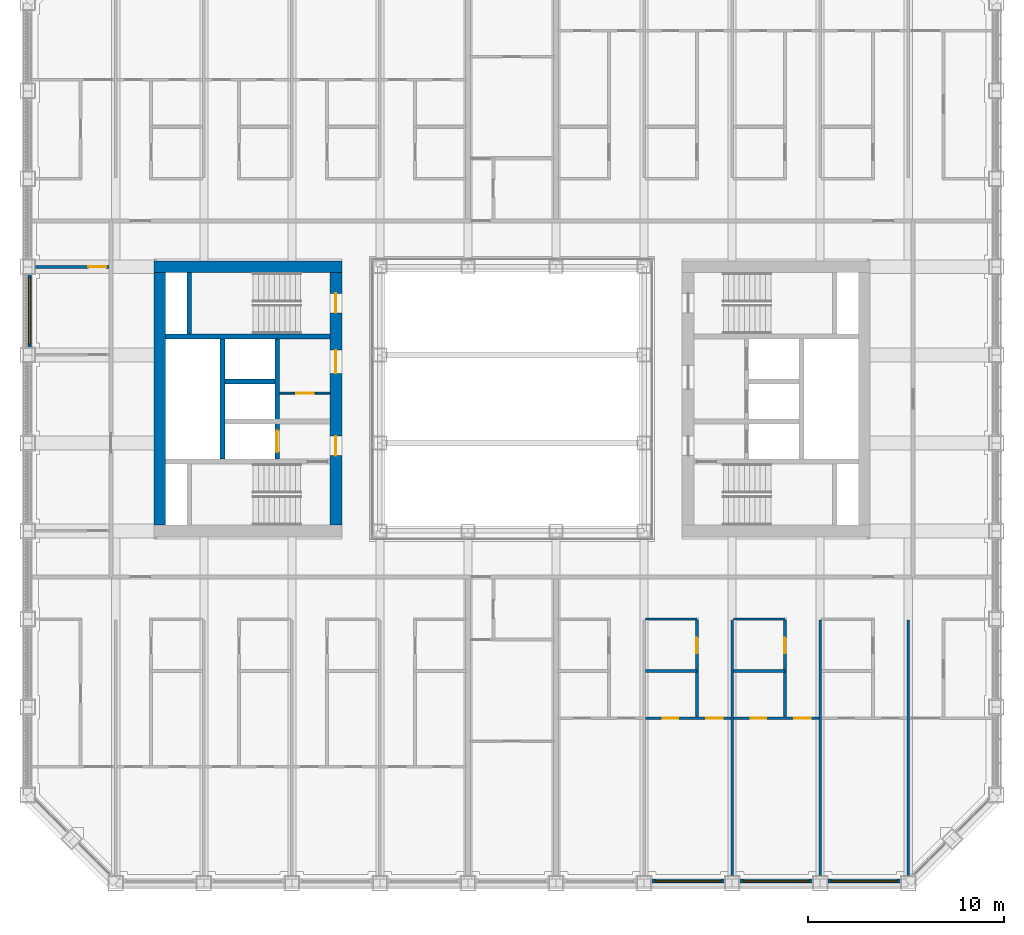
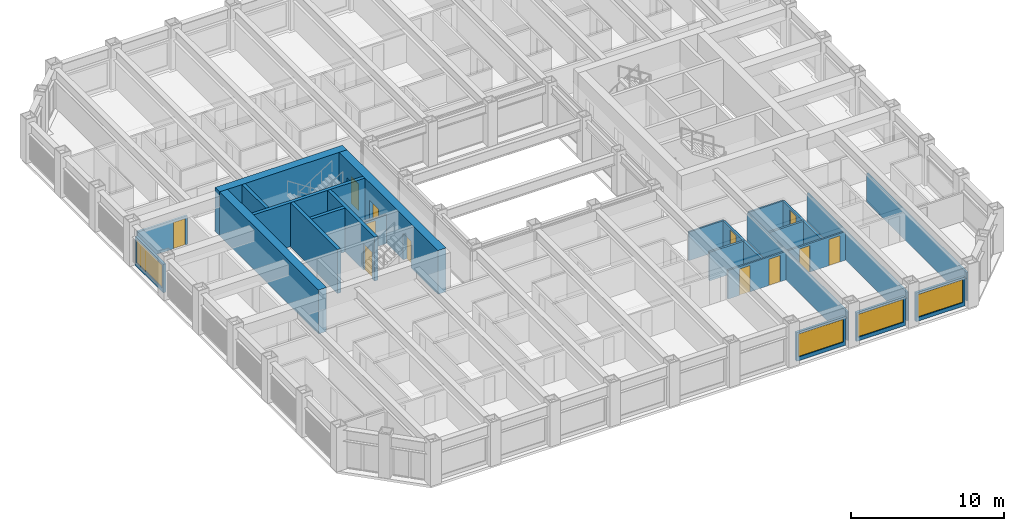
# One storey, part 11 of 21: 25 walls, 12 doors, 4 windows, 16 openings.
"""IFC4 building model written with IfcOpenShell, lengths in metres."""

from ifc_helpers import new_model, si_unit, direction, frame, frame_2d, origin, place, context, subcontext, project, spatial, rectangle, extrude, material, layer, layer_set, type_object, element, fill, save


model = new_model("IFC4")

# Units and contexts
model_context = context("Model", 3, precision=1e-05, world=origin(), true_north=direction((0.0, 1.0)))
body_context = subcontext(model_context, "Body", "Model", "MODEL_VIEW")
ifc_project = project(units=[si_unit("LENGTHUNIT", "METRE"), si_unit("AREAUNIT", "SQUARE_METRE"), si_unit("VOLUMEUNIT", "CUBIC_METRE"), si_unit("PLANEANGLEUNIT", "RADIAN"), si_unit("MASSUNIT", "GRAM", prefix="KILO")], contexts=[model_context])

# Site, building, storey
site_placement = place(None, origin())
site = spatial("IfcSite", under=ifc_project, at=site_placement, CompositionType="ELEMENT")
building_placement = place(site_placement, origin())
building = spatial("IfcBuilding", under=site, at=building_placement, Name="Msasa Ring Tower", CompositionType="ELEMENT")
storey_placement = place(building_placement, frame((0.0, 0.0, 103.5)))
storey = spatial("IfcBuildingStorey", under=building, at=storey_placement, Name="L27", CompositionType="ELEMENT", Elevation=103.5)

# Wall
ifc_material_1 = material(Name="Concrete C60/75", Category="concrete")
ifc_layer_1 = layer(ifc_material_1, 0.60009765625)
ifc_layer_set_1 = layer_set([ifc_layer_1], Name="CW1 CORE WALL 600")
wall_type_1 = type_object("IfcWallType", Name="CW1 CORE WALL 600", PredefinedType="SHEAR", material=ifc_layer_set_1)
wall_1_placement = place(storey_placement, frame((-8.699951171875, 6.75, 0.0), z_axis=(0.0, 0.0, 1.0), x_axis=(-1.0, 0.0, 0.0)))
element("IfcWall", 1, at=wall_1_placement, inside=storey, type_object=wall_type_1, Name="W core wall N L27", PredefinedType="SHEAR", context=body_context, shape_type="SweptSolid", body=[
    extrude(rectangle(XDim=9.60009765625, YDim=0.60009765625, at=frame_2d((4.800048828125, 0.0))), origin(), (0.0, 0.0, 1.0), 3.5),
])

# Wall, openings, doors
wall_2_placement = place(storey_placement, frame((-9.0, -6.449951171875, 0.0), z_axis=(0.0, 0.0, 1.0), x_axis=(0.0, 1.0, 0.0)))
wall_2 = element("IfcWall", 2, at=wall_2_placement, inside=storey, type_object=wall_type_1, Name="W core wall W L27", PredefinedType="SHEAR", context=body_context, shape_type="SweptSolid", body=[
    extrude(rectangle(XDim=12.89990234375, YDim=0.60009765625, at=frame_2d((6.449951171875, 0.0))), origin(), (0.0, 0.0, 1.0), 3.5),
])
opening_1_placement = place(wall_2_placement, frame((3.550048828125, 0.0, 0.0)))
opening_1 = element("IfcOpeningElement", 3, at=opening_1_placement, cuts=wall_2, Name="Opening RH-044", PredefinedType="OPENING", context=body_context, shape_type="SweptSolid", body=[
    extrude(rectangle(XDim=1.0, YDim=2.10009765625, at=frame_2d((0.5, 1.050048828125))), frame((0.0, 0.31005859375, 0.0), z_axis=(0.0, -1.0, 0.0), x_axis=(1.0, 0.0, 0.0)), (0.0, 0.0, 1.0), 0.6201171875),
])
opening_2_placement = place(wall_2_placement, frame((7.75, 0.0, 0.0)))
opening_2 = element("IfcOpeningElement", 4, at=opening_2_placement, cuts=wall_2, Name="Opening RH-039", PredefinedType="OPENING", context=body_context, shape_type="SweptSolid", body=[
    extrude(rectangle(XDim=1.199951171875, YDim=2.10009765625, at=frame_2d((0.60009765625, 1.050048828125))), frame((0.0, 0.31005859375, 0.0), z_axis=(0.0, -1.0, 0.0), x_axis=(1.0, 0.0, 0.0)), (0.0, 0.0, 1.0), 0.6201171875),
])
opening_3_placement = place(wall_2_placement, frame((10.85009765625, 0.0, 0.0)))
opening_3 = element("IfcOpeningElement", 5, at=opening_3_placement, cuts=wall_2, Name="Opening RH-036", PredefinedType="OPENING", context=body_context, shape_type="SweptSolid", body=[
    extrude(rectangle(XDim=1.0, YDim=2.10009765625, at=frame_2d((0.5, 1.050048828125))), frame((0.0, 0.31005859375, 0.0), z_axis=(0.0, -1.0, 0.0), x_axis=(1.0, 0.0, 0.0)), (0.0, 0.0, 1.0), 0.6201171875),
])
ifc_material_2 = material(Name="Timber door leaf in a steel frame", Category="steel")
door_type_1 = type_object("IfcDoorType", Name="D26 WIDE SERVICE ROOM DOOR 1200x2100", OperationType="SINGLE_SWING_LEFT", PredefinedType="DOOR", material=ifc_material_2)
door_1_placement = place(opening_2_placement, origin())
door_1 = element("IfcDoor", 6, at=door_1_placement, inside=storey, type_object=door_type_1, Name="Door L27-WCR", OperationType="SINGLE_SWING_RIGHT", OverallHeight=2.10009765625, OverallWidth=1.199951171875, PredefinedType="DOOR", context=body_context, shape_type="SweptSolid", body=[
    extrude(rectangle(XDim=1.199951171875, YDim=2.10009765625, at=frame_2d((0.60009765625, 1.050048828125))), frame((0.0, 0.02490234375, 0.0), z_axis=(0.0, -1.0, 0.0), x_axis=(1.0, 0.0, 0.0)), (0.0, 0.0, 1.0), 0.050048828125),
])
fill(opening_2, door_1)
ifc_material_3 = material(Name="Timber door leaf in a steel frame", Category="steel")
door_type_2 = type_object("IfcDoorType", Name="D4 LOBBY DOOR 1000x2100", OperationType="SINGLE_SWING_LEFT", PredefinedType="DOOR", material=ifc_material_3)
door_2_placement = place(opening_1_placement, origin())
door_2 = element("IfcDoor", 7, at=door_2_placement, inside=storey, type_object=door_type_2, Name="Door L27-WFFL", OperationType="SINGLE_SWING_LEFT", OverallHeight=2.10009765625, OverallWidth=1.0, PredefinedType="DOOR", context=body_context, shape_type="SweptSolid", body=[
    extrude(rectangle(XDim=1.0, YDim=2.10009765625, at=frame_2d((0.5, 1.050048828125))), frame((0.0, 0.02490234375, 0.0), z_axis=(0.0, -1.0, 0.0), x_axis=(1.0, 0.0, 0.0)), (0.0, 0.0, 1.0), 0.050048828125),
])
fill(opening_1, door_2)
ifc_material_4 = material(Name="Timber door leaf in a steel frame", Category="steel")
door_type_3 = type_object("IfcDoorType", Name="D6 STAIR DOOR 1000x2100", OperationType="SINGLE_SWING_LEFT", PredefinedType="DOOR", material=ifc_material_4)
door_3_placement = place(opening_3_placement, origin())
door_3 = element("IfcDoor", 8, at=door_3_placement, inside=storey, type_object=door_type_3, Name="Door L27-WSTB", OperationType="SINGLE_SWING_RIGHT", OverallHeight=2.10009765625, OverallWidth=1.0, PredefinedType="DOOR", context=body_context, shape_type="SweptSolid", body=[
    extrude(rectangle(XDim=1.0, YDim=2.10009765625, at=frame_2d((0.5, 1.050048828125))), frame((0.0, 0.02490234375, 0.0), z_axis=(0.0, -1.0, 0.0), x_axis=(1.0, 0.0, 0.0)), (0.0, 0.0, 1.0), 0.050048828125),
])
fill(opening_3, door_3)

# Walls
wall_3_placement = place(storey_placement, frame((-18.0, -6.449951171875, 0.0), z_axis=(0.0, 0.0, 1.0), x_axis=(0.0, 1.0, 0.0)))
element("IfcWall", 9, at=wall_3_placement, inside=storey, type_object=wall_type_1, Name="W core wall E L27", PredefinedType="SHEAR", context=body_context, shape_type="SweptSolid", body=[
    extrude(rectangle(XDim=12.89990234375, YDim=0.60009765625, at=frame_2d((6.449951171875, 0.0))), origin(), (0.0, 0.0, 1.0), 3.5),
])
ifc_material_5 = material(Name="Concrete C60/75", Category="concrete")
ifc_layer_2 = layer(ifc_material_5, 0.25)
ifc_layer_set_2 = layer_set([ifc_layer_2], Name="CW4 CORE INNER WALL 250")
wall_type_2 = type_object("IfcWallType", Name="CW4 CORE INNER WALL 250", PredefinedType="SHEAR", material=ifc_layer_set_2)
wall_4_placement = place(storey_placement, frame((-9.300048828125, 3.199951171875, 0.0), z_axis=(0.0, 0.0, 1.0), x_axis=(-1.0, 0.0, 0.0)))
element("IfcWall", 10, at=wall_4_placement, inside=storey, type_object=wall_type_2, Name="W core wall STAIRB L27", PredefinedType="SHEAR", context=body_context, shape_type="SweptSolid", body=[
    extrude(rectangle(XDim=8.39990234375, YDim=0.25, at=frame_2d((4.199951171875, 0.0))), origin(), (0.0, 0.0, 1.0), 3.5),
])
wall_5_placement = place(storey_placement, frame((-16.5, 3.324951171875, 0.0), z_axis=(0.0, 0.0, 1.0), x_axis=(0.0, 1.0, 0.0)))
element("IfcWall", 11, at=wall_5_placement, inside=storey, type_object=wall_type_2, Name="W core wall RISERB L27", PredefinedType="SHEAR", context=body_context, shape_type="SweptSolid", body=[
    extrude(rectangle(XDim=3.125, YDim=0.25, at=frame_2d((1.5625, 0.0))), origin(), (0.0, 0.0, 1.0), 3.5),
])

# Wall, opening, door
wall_6_placement = place(storey_placement, frame((-12.0, -3.074951171875, 0.0), z_axis=(0.0, 0.0, 1.0), x_axis=(0.0, 1.0, 0.0)))
wall_6 = element("IfcWall", 12, at=wall_6_placement, inside=storey, type_object=wall_type_2, Name="W core wall LOBBY L27", PredefinedType="SHEAR", context=body_context, shape_type="SweptSolid", body=[
    extrude(rectangle(XDim=6.14990234375, YDim=0.25, at=frame_2d((3.074951171875, 0.0))), origin(), (0.0, 0.0, 1.0), 3.5),
])
opening_4_placement = place(wall_6_placement, frame((0.35009765625, 0.0, 0.0)))
opening_4 = element("IfcOpeningElement", 13, at=opening_4_placement, cuts=wall_6, Name="Opening LD1", PredefinedType="OPENING", context=body_context, shape_type="SweptSolid", body=[
    extrude(rectangle(XDim=1.10009765625, YDim=2.10009765625, at=frame_2d((0.550048828125, 1.050048828125))), frame((0.0, 0.135009765625, 0.0), z_axis=(0.0, -1.0, 0.0), x_axis=(1.0, 0.0, 0.0)), (0.0, 0.0, 1.0), 0.27001953125),
])
ifc_material_6 = material(Name="Stainless steel lift landing door", Category="steel")
door_type_4 = type_object("IfcDoorType", Name="LD1 LIFT LANDING DOOR 1100x2100", OperationType="DOUBLE_DOOR_SLIDING", PredefinedType="DOOR", material=ifc_material_6)
door_4_placement = place(opening_4_placement, origin())
door_4 = element("IfcDoor", 14, at=door_4_placement, inside=storey, type_object=door_type_4, Name="Lift landing door FL-W L27", OperationType="DOUBLE_DOOR_SLIDING", OverallHeight=2.10009765625, OverallWidth=1.10009765625, PredefinedType="DOOR", context=body_context, shape_type="SweptSolid", body=[
    extrude(rectangle(XDim=1.10009765625, YDim=2.10009765625, at=frame_2d((0.550048828125, 1.050048828125))), frame((0.0, 0.02490234375, 0.0), z_axis=(0.0, -1.0, 0.0), x_axis=(1.0, 0.0, 0.0)), (0.0, 0.0, 1.0), 0.050048828125),
])
fill(opening_4, door_4)

# Walls
wall_7_placement = place(storey_placement, frame((-14.800048828125, -3.074951171875, 0.0), z_axis=(0.0, 0.0, 1.0), x_axis=(0.0, 1.0, 0.0)))
element("IfcWall", 15, at=wall_7_placement, inside=storey, type_object=wall_type_2, Name="W core wall SHAFT L27", PredefinedType="SHEAR", context=body_context, shape_type="SweptSolid", body=[
    extrude(rectangle(XDim=6.14990234375, YDim=0.25, at=frame_2d((3.074951171875, 0.0))), origin(), (0.0, 0.0, 1.0), 3.5),
])
wall_8_placement = place(storey_placement, frame((-12.125, 0.89990234375, 0.0), z_axis=(0.0, 0.0, 1.0), x_axis=(-1.0, 0.0, 0.0)))
element("IfcWall", 16, at=wall_8_placement, inside=storey, type_object=wall_type_2, Name="W core wall LIFT1 L27", PredefinedType="SHEAR", context=body_context, shape_type="SweptSolid", body=[
    extrude(rectangle(XDim=2.550048828125, YDim=0.25, at=frame_2d((1.27490234375, 0.0))), origin(), (0.0, 0.0, 1.0), 3.5),
])

# Wall, opening, window
ifc_material_7 = material(Name="Terracotta rainscreen on blockwork", Category="masonry")
ifc_layer_3 = layer(ifc_material_7, 0.199951171875)
ifc_layer_set_3 = layer_set([ifc_layer_3], Name="FW1 TERRACOTTA-LINED INFILL BAY WALL 200")
wall_type_3 = type_object("IfcWallType", Name="FW1 TERRACOTTA-LINED INFILL BAY WALL 200", PredefinedType="SOLIDWALL", material=ifc_layer_set_3)
wall_9_placement = place(storey_placement, frame((7.155029296875, -24.64990234375, 0.0), z_axis=(0.0, 0.0, 1.0), x_axis=(1.0, 0.0, 0.0)))
wall_9 = element("IfcWall", 17, at=wall_9_placement, inside=storey, type_object=wall_type_3, Name="Infill bay wall S L27 06", PredefinedType="SOLIDWALL", context=body_context, shape_type="SweptSolid", body=[
    extrude(rectangle(XDim=3.68994140625, YDim=0.199951171875, at=frame_2d((1.844970703125, 0.0))), origin(), (0.0, 0.0, 1.0), 2.279052734375),
])
opening_5_placement = place(wall_9_placement, frame((0.14501953125, 0.0, 0.300048828125)))
opening_5 = element("IfcOpeningElement", 18, at=opening_5_placement, cuts=wall_9, Name="Opening WN6", PredefinedType="OPENING", context=body_context, shape_type="SweptSolid", body=[
    extrude(rectangle(XDim=3.39990234375, YDim=1.8291015625, at=frame_2d((1.699951171875, 0.91455078125))), frame((0.0, 0.10986328125, 0.0), z_axis=(0.0, -1.0, 0.0), x_axis=(1.0, 0.0, 0.0)), (0.0, 0.0, 1.0), 0.219970703125),
])
ifc_material_8 = material(Name="Aluminium frame with clear glass", Category="aluminium")
window_type = type_object("IfcWindowType", Name="WN6 RESIDENCE WINDOW 3400x1829", PartitioningType="SINGLE_PANEL", PredefinedType="WINDOW", material=ifc_material_8)
window_1_placement = place(opening_5_placement, origin())
window_1 = element("IfcWindow", 19, at=window_1_placement, inside=storey, type_object=window_type, Name="Window S L27 06", OverallHeight=1.8291015625, OverallWidth=3.39990234375, PartitioningType="SINGLE_PANEL", PredefinedType="WINDOW", context=body_context, shape_type="SweptSolid", body=[
    extrude(rectangle(XDim=3.39990234375, YDim=1.8291015625, at=frame_2d((1.699951171875, 0.91455078125))), frame((0.0, 0.030029296875, 0.0), z_axis=(0.0, -1.0, 0.0), x_axis=(1.0, 0.0, 0.0)), (0.0, 0.0, 1.0), 0.06005859375),
])
fill(opening_5, window_1)

wall_10_placement = place(storey_placement, frame((11.655029296875, -24.64990234375, 0.0), z_axis=(0.0, 0.0, 1.0), x_axis=(1.0, 0.0, 0.0)))
wall_10 = element("IfcWall", 20, at=wall_10_placement, inside=storey, type_object=wall_type_3, Name="Infill bay wall S L27 07", PredefinedType="SOLIDWALL", context=body_context, shape_type="SweptSolid", body=[
    extrude(rectangle(XDim=3.68994140625, YDim=0.199951171875, at=frame_2d((1.844970703125, 0.0))), origin(), (0.0, 0.0, 1.0), 2.279052734375),
])
opening_6_placement = place(wall_10_placement, frame((0.14501953125, 0.0, 0.300048828125)))
opening_6 = element("IfcOpeningElement", 21, at=opening_6_placement, cuts=wall_10, Name="Opening WN6", PredefinedType="OPENING", context=body_context, shape_type="SweptSolid", body=[
    extrude(rectangle(XDim=3.39990234375, YDim=1.8291015625, at=frame_2d((1.699951171875, 0.91455078125))), frame((0.0, 0.10986328125, 0.0), z_axis=(0.0, -1.0, 0.0), x_axis=(1.0, 0.0, 0.0)), (0.0, 0.0, 1.0), 0.219970703125),
])
window_2_placement = place(opening_6_placement, origin())
window_2 = element("IfcWindow", 22, at=window_2_placement, inside=storey, type_object=window_type, Name="Window S L27 07", OverallHeight=1.8291015625, OverallWidth=3.39990234375, PartitioningType="SINGLE_PANEL", PredefinedType="WINDOW", context=body_context, shape_type="SweptSolid", body=[
    extrude(rectangle(XDim=3.39990234375, YDim=1.8291015625, at=frame_2d((1.699951171875, 0.91455078125))), frame((0.0, 0.030029296875, 0.0), z_axis=(0.0, -1.0, 0.0), x_axis=(1.0, 0.0, 0.0)), (0.0, 0.0, 1.0), 0.06005859375),
])
fill(opening_6, window_2)

wall_11_placement = place(storey_placement, frame((16.155029296875, -24.64990234375, 0.0), z_axis=(0.0, 0.0, 1.0), x_axis=(1.0, 0.0, 0.0)))
wall_11 = element("IfcWall", 23, at=wall_11_placement, inside=storey, type_object=wall_type_3, Name="Infill bay wall S L27 08", PredefinedType="SOLIDWALL", context=body_context, shape_type="SweptSolid", body=[
    extrude(rectangle(XDim=3.68994140625, YDim=0.199951171875, at=frame_2d((1.844970703125, 0.0))), origin(), (0.0, 0.0, 1.0), 2.279052734375),
])
opening_7_placement = place(wall_11_placement, frame((0.14501953125, 0.0, 0.300048828125)))
opening_7 = element("IfcOpeningElement", 24, at=opening_7_placement, cuts=wall_11, Name="Opening WN6", PredefinedType="OPENING", context=body_context, shape_type="SweptSolid", body=[
    extrude(rectangle(XDim=3.39990234375, YDim=1.8291015625, at=frame_2d((1.699951171875, 0.91455078125))), frame((0.0, 0.10986328125, 0.0), z_axis=(0.0, -1.0, 0.0), x_axis=(1.0, 0.0, 0.0)), (0.0, 0.0, 1.0), 0.219970703125),
])
window_3_placement = place(opening_7_placement, origin())
window_3 = element("IfcWindow", 25, at=window_3_placement, inside=storey, type_object=window_type, Name="Window S L27 08", OverallHeight=1.8291015625, OverallWidth=3.39990234375, PartitioningType="SINGLE_PANEL", PredefinedType="WINDOW", context=body_context, shape_type="SweptSolid", body=[
    extrude(rectangle(XDim=3.39990234375, YDim=1.8291015625, at=frame_2d((1.699951171875, 0.91455078125))), frame((0.0, 0.030029296875, 0.0), z_axis=(0.0, -1.0, 0.0), x_axis=(1.0, 0.0, 0.0)), (0.0, 0.0, 1.0), 0.06005859375),
])
fill(opening_7, window_3)

wall_12_placement = place(storey_placement, frame((-24.64990234375, 2.655029296875, 0.0), z_axis=(0.0, 0.0, 1.0), x_axis=(0.0, 1.0, 0.0)))
wall_12 = element("IfcWall", 26, at=wall_12_placement, inside=storey, type_object=wall_type_3, Name="Infill bay wall W L27 38", PredefinedType="SOLIDWALL", context=body_context, shape_type="SweptSolid", body=[
    extrude(rectangle(XDim=3.68994140625, YDim=0.199951171875, at=frame_2d((1.844970703125, 0.0))), origin(), (0.0, 0.0, 1.0), 2.279052734375),
])
opening_8_placement = place(wall_12_placement, frame((0.14501953125, 0.0, 0.300048828125)))
opening_8 = element("IfcOpeningElement", 27, at=opening_8_placement, cuts=wall_12, Name="Opening WN6", PredefinedType="OPENING", context=body_context, shape_type="SweptSolid", body=[
    extrude(rectangle(XDim=3.39990234375, YDim=1.8291015625, at=frame_2d((1.699951171875, 0.91455078125))), frame((0.0, 0.10986328125, 0.0), z_axis=(0.0, -1.0, 0.0), x_axis=(1.0, 0.0, 0.0)), (0.0, 0.0, 1.0), 0.219970703125),
])
window_4_placement = place(opening_8_placement, origin())
window_4 = element("IfcWindow", 28, at=window_4_placement, inside=storey, type_object=window_type, Name="Window W L27 38", OverallHeight=1.8291015625, OverallWidth=3.39990234375, PartitioningType="SINGLE_PANEL", PredefinedType="WINDOW", context=body_context, shape_type="SweptSolid", body=[
    extrude(rectangle(XDim=3.39990234375, YDim=1.8291015625, at=frame_2d((1.699951171875, 0.91455078125))), frame((0.0, 0.030029296875, 0.0), z_axis=(0.0, -1.0, 0.0), x_axis=(1.0, 0.0, 0.0)), (0.0, 0.0, 1.0), 0.06005859375),
])
fill(opening_8, window_4)

# Wall, opening, door
ifc_material_9 = material(Name="Gypsum board on steel studs", Category="steel")
ifc_layer_4 = layer(ifc_material_9, 0.10009765625)
ifc_layer_set_4 = layer_set([ifc_layer_4], Name="PT2 STUD PARTITION 100")
wall_type_4 = type_object("IfcWallType", Name="PT2 STUD PARTITION 100", PredefinedType="PARTITIONING", material=ifc_layer_set_4)
wall_13_placement = place(storey_placement, frame((-11.875, 0.300048828125, 0.0), z_axis=(0.0, 0.0, 1.0), x_axis=(1.0, 0.0, 0.0)))
wall_13 = element("IfcWall", 29, at=wall_13_placement, inside=storey, type_object=wall_type_4, Name="Partition L27-WCP", PredefinedType="PARTITIONING", context=body_context, shape_type="SweptSolid", body=[
    extrude(rectangle(XDim=2.574951171875, YDim=0.10009765625, at=frame_2d((1.28759765625, 0.0))), origin(), (0.0, 0.0, 1.0), 2.279052734375),
])
opening_9_placement = place(wall_13_placement, frame((0.83740234375, 0.0, 0.0)))
opening_9 = element("IfcOpeningElement", 30, at=opening_9_placement, cuts=wall_13, Name="Opening RH-041", PredefinedType="OPENING", context=body_context, shape_type="SweptSolid", body=[
    extrude(rectangle(XDim=0.89990234375, YDim=2.10009765625, at=frame_2d((0.449951171875, 1.050048828125))), frame((0.0, 0.06005859375, 0.0), z_axis=(0.0, -1.0, 0.0), x_axis=(1.0, 0.0, 0.0)), (0.0, 0.0, 1.0), 0.1201171875),
])
ifc_material_10 = material(Name="Timber door leaf in a steel frame", Category="steel")
door_type_5 = type_object("IfcDoorType", Name="D22 INTERNAL HALL DOOR 900x2100", OperationType="SINGLE_SWING_LEFT", PredefinedType="DOOR", material=ifc_material_10)
door_5_placement = place(opening_9_placement, origin())
door_5 = element("IfcDoor", 31, at=door_5_placement, inside=storey, type_object=door_type_5, Name="Door L27-WCP", OperationType="SINGLE_SWING_LEFT", OverallHeight=2.10009765625, OverallWidth=0.89990234375, PredefinedType="DOOR", context=body_context, shape_type="SweptSolid", body=[
    extrude(rectangle(XDim=0.89990234375, YDim=2.10009765625, at=frame_2d((0.449951171875, 1.050048828125))), frame((0.0, 0.02490234375, 0.0), z_axis=(0.0, -1.0, 0.0), x_axis=(1.0, 0.0, 0.0)), (0.0, 0.0, 1.0), 0.050048828125),
])
fill(opening_9, door_5)

ifc_material_11 = material(Name="Moisture-resistant board on steel studs with a concealed cistern and pipe void, tiled", Category="steel")
ifc_layer_5 = layer(ifc_material_11, 0.14990234375)
ifc_layer_set_5 = layer_set([ifc_layer_5], Name="PT4 BATHROOM WET WALL 150")
wall_type_5 = type_object("IfcWallType", Name="PT4 BATHROOM WET WALL 150", PredefinedType="PARTITIONING", material=ifc_layer_set_5)
wall_14_placement = place(storey_placement, frame((13.949951171875, -16.3125, 0.0), z_axis=(0.0, 0.0, 1.0), x_axis=(0.0, 1.0, 0.0)))
wall_14 = element("IfcWall", 32, at=wall_14_placement, inside=storey, type_object=wall_type_5, Name="Partition L27-US02SX2", PredefinedType="PARTITIONING", context=body_context, shape_type="SweptSolid", body=[
    extrude(rectangle(XDim=5.0, YDim=0.14990234375, at=frame_2d((2.5, 0.0))), origin(), (0.0, 0.0, 1.0), 2.279052734375),
])
opening_10_placement = place(wall_14_placement, frame((3.300048828125, 0.0, 0.0)))
opening_10 = element("IfcOpeningElement", 33, at=opening_10_placement, cuts=wall_14, Name="Opening RH-060", PredefinedType="OPENING", context=body_context, shape_type="SweptSolid", body=[
    extrude(rectangle(XDim=0.800048828125, YDim=2.10009765625, at=frame_2d((0.39990234375, 1.050048828125))), frame((0.0, 0.0849609375, 0.0), z_axis=(0.0, -1.0, 0.0), x_axis=(1.0, 0.0, 0.0)), (0.0, 0.0, 1.0), 0.169921875),
])
ifc_material_12 = material(Name="Timber door leaf in a steel frame", Category="steel")
door_type_6 = type_object("IfcDoorType", Name="D21 POCKET SLIDING BATHROOM DOOR 800x2100", OperationType="SINGLE_SWING_LEFT", PredefinedType="DOOR", material=ifc_material_12)
door_6_placement = place(opening_10_placement, origin())
door_6 = element("IfcDoor", 34, at=door_6_placement, inside=storey, type_object=door_type_6, Name="Door L27-US02B2", OperationType="SINGLE_SWING_RIGHT", OverallHeight=2.10009765625, OverallWidth=0.800048828125, PredefinedType="DOOR", context=body_context, shape_type="SweptSolid", body=[
    extrude(rectangle(XDim=0.800048828125, YDim=2.10009765625, at=frame_2d((0.39990234375, 1.050048828125))), frame((0.0, 0.02490234375, 0.0), z_axis=(0.0, -1.0, 0.0), x_axis=(1.0, 0.0, 0.0)), (0.0, 0.0, 1.0), 0.050048828125),
])
fill(opening_10, door_6)

# Wall
wall_15_placement = place(storey_placement, frame((11.3125, -13.91259765625, 0.0), z_axis=(0.0, 0.0, 1.0), x_axis=(1.0, 0.0, 0.0)))
element("IfcWall", 35, at=wall_15_placement, inside=storey, type_object=wall_type_5, Name="Partition L27-US02SB2", PredefinedType="PARTITIONING", context=body_context, shape_type="SweptSolid", body=[
    extrude(rectangle(XDim=2.637451171875, YDim=0.14990234375, at=frame_2d((1.31884765625, 0.0))), origin(), (0.0, 0.0, 1.0), 2.279052734375),
])

# Wall, opening, door
wall_16_placement = place(storey_placement, frame((9.449951171875, -16.3125, 0.0), z_axis=(0.0, 0.0, 1.0), x_axis=(0.0, 1.0, 0.0)))
wall_16 = element("IfcWall", 36, at=wall_16_placement, inside=storey, type_object=wall_type_5, Name="Partition L27-US02SX3", PredefinedType="PARTITIONING", context=body_context, shape_type="SweptSolid", body=[
    extrude(rectangle(XDim=5.0, YDim=0.14990234375, at=frame_2d((2.5, 0.0))), origin(), (0.0, 0.0, 1.0), 2.279052734375),
])
opening_11_placement = place(wall_16_placement, frame((3.300048828125, 0.0, 0.0)))
opening_11 = element("IfcOpeningElement", 37, at=opening_11_placement, cuts=wall_16, Name="Opening RH-059", PredefinedType="OPENING", context=body_context, shape_type="SweptSolid", body=[
    extrude(rectangle(XDim=0.800048828125, YDim=2.10009765625, at=frame_2d((0.39990234375, 1.050048828125))), frame((0.0, 0.0849609375, 0.0), z_axis=(0.0, -1.0, 0.0), x_axis=(1.0, 0.0, 0.0)), (0.0, 0.0, 1.0), 0.169921875),
])
door_7_placement = place(opening_11_placement, origin())
door_7 = element("IfcDoor", 38, at=door_7_placement, inside=storey, type_object=door_type_6, Name="Door L27-US02B3", OperationType="SINGLE_SWING_RIGHT", OverallHeight=2.10009765625, OverallWidth=0.800048828125, PredefinedType="DOOR", context=body_context, shape_type="SweptSolid", body=[
    extrude(rectangle(XDim=0.800048828125, YDim=2.10009765625, at=frame_2d((0.39990234375, 1.050048828125))), frame((0.0, 0.02490234375, 0.0), z_axis=(0.0, -1.0, 0.0), x_axis=(1.0, 0.0, 0.0)), (0.0, 0.0, 1.0), 0.050048828125),
])
fill(opening_11, door_7)

# Wall
wall_17_placement = place(storey_placement, frame((6.8125, -13.91259765625, 0.0), z_axis=(0.0, 0.0, 1.0), x_axis=(1.0, 0.0, 0.0)))
element("IfcWall", 39, at=wall_17_placement, inside=storey, type_object=wall_type_5, Name="Partition L27-US02SB3", PredefinedType="PARTITIONING", context=body_context, shape_type="SweptSolid", body=[
    extrude(rectangle(XDim=2.637451171875, YDim=0.14990234375, at=frame_2d((1.31884765625, 0.0))), origin(), (0.0, 0.0, 1.0), 2.279052734375),
])

# Wall, opening, door
wall_18_placement = place(storey_placement, frame((-24.35009765625, 6.75, 0.0), z_axis=(0.0, 0.0, 1.0), x_axis=(1.0, 0.0, 0.0)))
wall_18 = element("IfcWall", 40, at=wall_18_placement, inside=storey, type_object=wall_type_5, Name="Partition L27-STWBY", PredefinedType="PARTITIONING", context=body_context, shape_type="SweptSolid", body=[
    extrude(rectangle(XDim=3.75, YDim=0.14990234375, at=frame_2d((1.875, 0.0))), origin(), (0.0, 0.0, 1.0), 2.279052734375),
])
opening_12_placement = place(wall_18_placement, frame((2.699951171875, 0.0, 0.0)))
opening_12 = element("IfcOpeningElement", 41, at=opening_12_placement, cuts=wall_18, Name="Opening RH-035", PredefinedType="OPENING", context=body_context, shape_type="SweptSolid", body=[
    extrude(rectangle(XDim=0.89990234375, YDim=2.10009765625, at=frame_2d((0.449951171875, 1.050048828125))), frame((0.0, 0.0849609375, 0.0), z_axis=(0.0, -1.0, 0.0), x_axis=(1.0, 0.0, 0.0)), (0.0, 0.0, 1.0), 0.169921875),
])
ifc_material_13 = material(Name="Timber door leaf in a steel frame", Category="steel")
door_type_7 = type_object("IfcDoorType", Name="D3 BATHROOM DOOR 900x2100", OperationType="SINGLE_SWING_LEFT", PredefinedType="DOOR", material=ifc_material_13)
door_8_placement = place(opening_12_placement, origin())
door_8 = element("IfcDoor", 42, at=door_8_placement, inside=storey, type_object=door_type_7, Name="Door L27-STWB", OperationType="SINGLE_SWING_RIGHT", OverallHeight=2.10009765625, OverallWidth=0.89990234375, PredefinedType="DOOR", context=body_context, shape_type="SweptSolid", body=[
    extrude(rectangle(XDim=0.89990234375, YDim=2.10009765625, at=frame_2d((0.449951171875, 1.050048828125))), frame((0.0, 0.02490234375, 0.0), z_axis=(0.0, -1.0, 0.0), x_axis=(1.0, 0.0, 0.0)), (0.0, 0.0, 1.0), 0.050048828125),
])
fill(opening_12, door_8)

# Walls
ifc_material_14 = material(Name="Two layers of acoustic board each face on steel studs, mineral wool", Category="steel")
ifc_layer_6 = layer(ifc_material_14, 0.125)
ifc_layer_set_6 = layer_set([ifc_layer_6], Name="PT6 ACOUSTIC DOUBLE-BOARD PARTITION 125")
wall_type_6 = type_object("IfcWallType", Name="PT6 ACOUSTIC DOUBLE-BOARD PARTITION 125", PredefinedType="PARTITIONING", material=ifc_layer_set_6)
for number, where, z_axis, x_axis, name in (
    (43, (20.25, -24.35009765625, 0.0), (0.0, 0.0, 1.0), (0.0, 1.0, 0.0), "Partition L27-US02P1"),
    (44, (15.75, -24.35009765625, 0.0), (0.0, 0.0, 1.0), (0.0, 1.0, 0.0), "Partition L27-US02P2"),
):
    element("IfcWall", number, at=place(storey_placement, frame(where, z_axis=z_axis, x_axis=x_axis)), inside=storey, type_object=wall_type_6, Name=name, PredefinedType="PARTITIONING", context=body_context, shape_type="SweptSolid", body=[
        extrude(rectangle(XDim=13.03759765625, YDim=0.125, at=frame_2d((6.518798828125, 0.0))), origin(), (0.0, 0.0, 1.0), 2.279052734375),
    ])
wall_19_placement = place(storey_placement, frame((11.3173828125, -11.25, 0.0), z_axis=(0.0, 0.0, 1.0), x_axis=(1.0, 0.0, 0.0)))
element("IfcWall", 45, at=wall_19_placement, inside=storey, type_object=wall_type_6, Name="Partition L27-US02HY2", PredefinedType="PARTITIONING", context=body_context, shape_type="SweptSolid", body=[
    extrude(rectangle(XDim=2.632568359375, YDim=0.125, at=frame_2d((1.31640625, 0.0))), origin(), (0.0, 0.0, 1.0), 2.279052734375),
])

# Wall, openings, doors
wall_20_placement = place(storey_placement, frame((11.3125, -16.3125, 0.0), z_axis=(0.0, 0.0, 1.0), x_axis=(1.0, 0.0, 0.0)))
wall_20 = element("IfcWall", 46, at=wall_20_placement, inside=storey, type_object=wall_type_6, Name="Partition L27-US02SY2", PredefinedType="PARTITIONING", context=body_context, shape_type="SweptSolid", body=[
    extrude(rectangle(XDim=4.375, YDim=0.125, at=frame_2d((2.1875, 0.0))), origin(), (0.0, 0.0, 1.0), 2.279052734375),
])
opening_13_placement = place(wall_20_placement, frame((3.112548828125, 0.0, 0.0)))
opening_13 = element("IfcOpeningElement", 47, at=opening_13_placement, cuts=wall_20, Name="Opening RH-069", PredefinedType="OPENING", context=body_context, shape_type="SweptSolid", body=[
    extrude(rectangle(XDim=0.85009765625, YDim=2.10009765625, at=frame_2d((0.425048828125, 1.050048828125))), frame((0.0, 0.072509765625, 0.0), z_axis=(0.0, -1.0, 0.0), x_axis=(1.0, 0.0, 0.0)), (0.0, 0.0, 1.0), 0.14501953125),
])
opening_14_placement = place(wall_20_placement, frame((0.88134765625, 0.0, 0.0)))
opening_14 = element("IfcOpeningElement", 48, at=opening_14_placement, cuts=wall_20, Name="Opening RH-068", PredefinedType="OPENING", context=body_context, shape_type="SweptSolid", body=[
    extrude(rectangle(XDim=0.800048828125, YDim=2.10009765625, at=frame_2d((0.39990234375, 1.050048828125))), frame((0.0, 0.072509765625, 0.0), z_axis=(0.0, -1.0, 0.0), x_axis=(1.0, 0.0, 0.0)), (0.0, 0.0, 1.0), 0.14501953125),
])
ifc_material_15 = material(Name="Timber door leaf in a steel frame", Category="steel")
door_type_8 = type_object("IfcDoorType", Name="D14 BEDROOM DOOR 850x2100", OperationType="SINGLE_SWING_LEFT", PredefinedType="DOOR", material=ifc_material_15)
door_9_placement = place(opening_13_placement, origin())
door_9 = element("IfcDoor", 49, at=door_9_placement, inside=storey, type_object=door_type_8, Name="Door L27-US02R2", OperationType="SINGLE_SWING_RIGHT", OverallHeight=2.10009765625, OverallWidth=0.85009765625, PredefinedType="DOOR", context=body_context, shape_type="SweptSolid", body=[
    extrude(rectangle(XDim=0.85009765625, YDim=2.10009765625, at=frame_2d((0.425048828125, 1.050048828125))), frame((0.0, 0.02490234375, 0.0), z_axis=(0.0, -1.0, 0.0), x_axis=(1.0, 0.0, 0.0)), (0.0, 0.0, 1.0), 0.050048828125),
])
fill(opening_13, door_9)
ifc_material_16 = material(Name="Timber door leaf in a steel frame", Category="steel")
door_type_9 = type_object("IfcDoorType", Name="D60 DRESSING ROOM DOOR 800x2100", OperationType="SINGLE_SWING_LEFT", PredefinedType="DOOR", material=ifc_material_16)
door_10_placement = place(opening_14_placement, origin())
door_10 = element("IfcDoor", 50, at=door_10_placement, inside=storey, type_object=door_type_9, Name="Door L27-US02W2", OperationType="SINGLE_SWING_LEFT", OverallHeight=2.10009765625, OverallWidth=0.800048828125, PredefinedType="DOOR", context=body_context, shape_type="SweptSolid", body=[
    extrude(rectangle(XDim=0.800048828125, YDim=2.10009765625, at=frame_2d((0.39990234375, 1.050048828125))), frame((0.0, 0.02490234375, 0.0), z_axis=(0.0, -1.0, 0.0), x_axis=(1.0, 0.0, 0.0)), (0.0, 0.0, 1.0), 0.050048828125),
])
fill(opening_14, door_10)

# Walls
wall_21_placement = place(storey_placement, frame((11.25, -24.35009765625, 0.0), z_axis=(0.0, 0.0, 1.0), x_axis=(0.0, 1.0, 0.0)))
element("IfcWall", 51, at=wall_21_placement, inside=storey, type_object=wall_type_6, Name="Partition L27-US02P3", PredefinedType="PARTITIONING", context=body_context, shape_type="SweptSolid", body=[
    extrude(rectangle(XDim=13.03759765625, YDim=0.125, at=frame_2d((6.518798828125, 0.0))), origin(), (0.0, 0.0, 1.0), 2.279052734375),
])
wall_22_placement = place(storey_placement, frame((6.8173828125, -11.25, 0.0), z_axis=(0.0, 0.0, 1.0), x_axis=(1.0, 0.0, 0.0)))
element("IfcWall", 52, at=wall_22_placement, inside=storey, type_object=wall_type_6, Name="Partition L27-US02HY3", PredefinedType="PARTITIONING", context=body_context, shape_type="SweptSolid", body=[
    extrude(rectangle(XDim=2.632568359375, YDim=0.125, at=frame_2d((1.31640625, 0.0))), origin(), (0.0, 0.0, 1.0), 2.279052734375),
])

# Wall, openings, doors
wall_23_placement = place(storey_placement, frame((6.8125, -16.3125, 0.0), z_axis=(0.0, 0.0, 1.0), x_axis=(1.0, 0.0, 0.0)))
wall_23 = element("IfcWall", 53, at=wall_23_placement, inside=storey, type_object=wall_type_6, Name="Partition L27-US02SY3", PredefinedType="PARTITIONING", context=body_context, shape_type="SweptSolid", body=[
    extrude(rectangle(XDim=4.375, YDim=0.125, at=frame_2d((2.1875, 0.0))), origin(), (0.0, 0.0, 1.0), 2.279052734375),
])
opening_15_placement = place(wall_23_placement, frame((3.112548828125, 0.0, 0.0)))
opening_15 = element("IfcOpeningElement", 54, at=opening_15_placement, cuts=wall_23, Name="Opening RH-067", PredefinedType="OPENING", context=body_context, shape_type="SweptSolid", body=[
    extrude(rectangle(XDim=0.85009765625, YDim=2.10009765625, at=frame_2d((0.425048828125, 1.050048828125))), frame((0.0, 0.072509765625, 0.0), z_axis=(0.0, -1.0, 0.0), x_axis=(1.0, 0.0, 0.0)), (0.0, 0.0, 1.0), 0.14501953125),
])
opening_16_placement = place(wall_23_placement, frame((0.88134765625, 0.0, 0.0)))
opening_16 = element("IfcOpeningElement", 55, at=opening_16_placement, cuts=wall_23, Name="Opening RH-066", PredefinedType="OPENING", context=body_context, shape_type="SweptSolid", body=[
    extrude(rectangle(XDim=0.800048828125, YDim=2.10009765625, at=frame_2d((0.39990234375, 1.050048828125))), frame((0.0, 0.072509765625, 0.0), z_axis=(0.0, -1.0, 0.0), x_axis=(1.0, 0.0, 0.0)), (0.0, 0.0, 1.0), 0.14501953125),
])
door_11_placement = place(opening_15_placement, origin())
door_11 = element("IfcDoor", 56, at=door_11_placement, inside=storey, type_object=door_type_8, Name="Door L27-US02R3", OperationType="SINGLE_SWING_RIGHT", OverallHeight=2.10009765625, OverallWidth=0.85009765625, PredefinedType="DOOR", context=body_context, shape_type="SweptSolid", body=[
    extrude(rectangle(XDim=0.85009765625, YDim=2.10009765625, at=frame_2d((0.425048828125, 1.050048828125))), frame((0.0, 0.02490234375, 0.0), z_axis=(0.0, -1.0, 0.0), x_axis=(1.0, 0.0, 0.0)), (0.0, 0.0, 1.0), 0.050048828125),
])
fill(opening_15, door_11)
door_12_placement = place(opening_16_placement, origin())
door_12 = element("IfcDoor", 57, at=door_12_placement, inside=storey, type_object=door_type_9, Name="Door L27-US02W3", OperationType="SINGLE_SWING_LEFT", OverallHeight=2.10009765625, OverallWidth=0.800048828125, PredefinedType="DOOR", context=body_context, shape_type="SweptSolid", body=[
    extrude(rectangle(XDim=0.800048828125, YDim=2.10009765625, at=frame_2d((0.39990234375, 1.050048828125))), frame((0.0, 0.02490234375, 0.0), z_axis=(0.0, -1.0, 0.0), x_axis=(1.0, 0.0, 0.0)), (0.0, 0.0, 1.0), 0.050048828125),
])
fill(opening_16, door_12)

save(model, "model.ifc")
